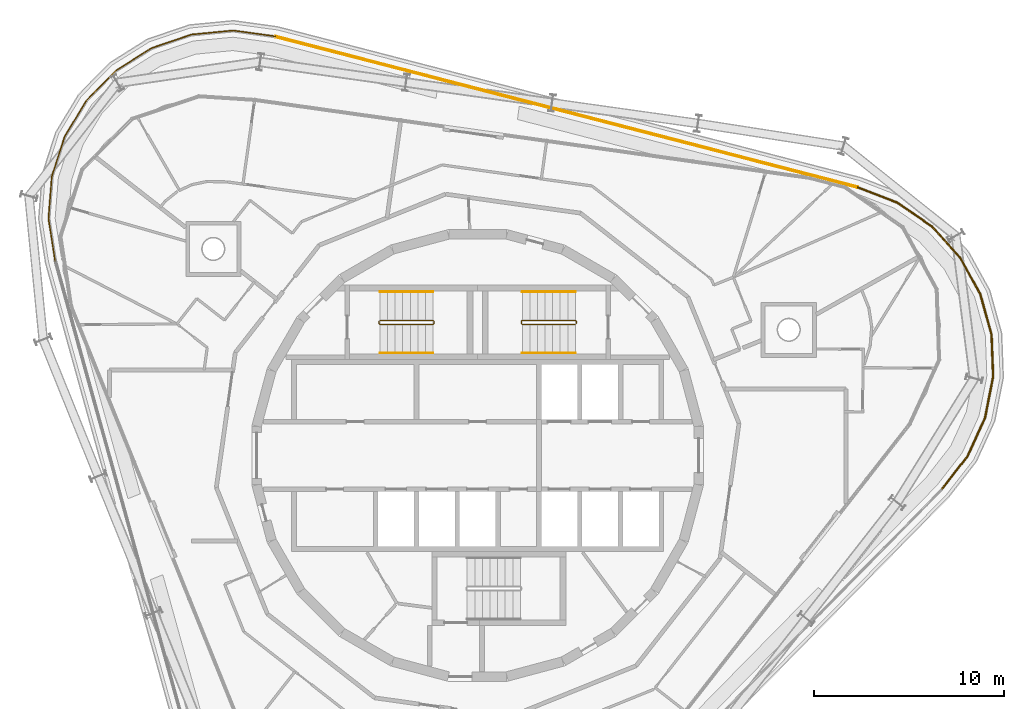
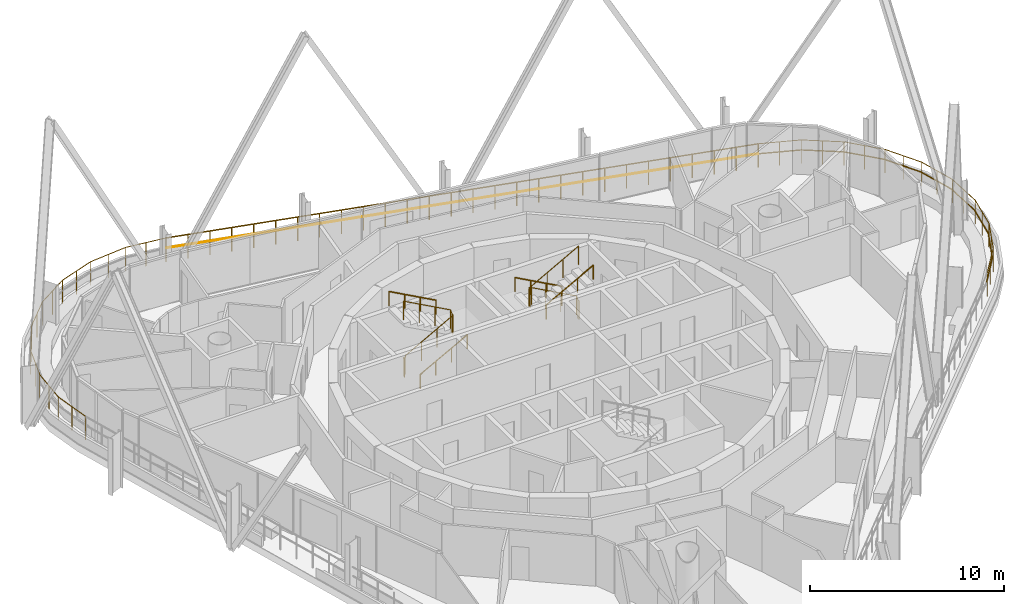
# One storey, part 16 of 17: 11 railings.
"""IFC4 building model written with IfcOpenShell, lengths in metres."""

from ifc_helpers import new_model, si_unit, direction, frame, origin, origin_2d, place, context, subcontext, project, spatial, circle, extrude, material, type_object, element, save


model = new_model("IFC4")

# Units and contexts
model_context = context("Model", 3, precision=1e-05, world=origin(), true_north=direction((0.0, 1.0)))
body_context = subcontext(model_context, "Body", "Model", "MODEL_VIEW")
ifc_project = project(units=[si_unit("LENGTHUNIT", "METRE"), si_unit("AREAUNIT", "SQUARE_METRE"), si_unit("VOLUMEUNIT", "CUBIC_METRE"), si_unit("PLANEANGLEUNIT", "RADIAN"), si_unit("MASSUNIT", "GRAM", prefix="KILO")], contexts=[model_context])

# Site, building, storey
site_placement = place(None, origin())
site = spatial("IfcSite", under=ifc_project, at=site_placement, CompositionType="ELEMENT")
building_placement = place(site_placement, origin())
building = spatial("IfcBuilding", under=site, at=building_placement, Name="Spindle Arch Residences", CompositionType="ELEMENT")
storey_placement = place(building_placement, frame((0.0, 0.0, 333.0)))
storey = spatial("IfcBuildingStorey", under=building, at=storey_placement, Name="L85", CompositionType="ELEMENT", Elevation=333.0)

# Railings
ifc_material_1 = material(Name="Steel, painted", Category="steel")
railing_type_1 = type_object("IfcRailingType", Name="Stair guard 1100", PredefinedType="GUARDRAIL", material=ifc_material_1)
railing_1_placement = place(storey_placement, frame((5.14990234375, 6.89990234375, 3.5)))
element("IfcRailing", 1, at=railing_1_placement, inside=storey, type_object=railing_type_1, Name="L85 ST1 stair guard 1", PredefinedType="GUARDRAIL", context=body_context, shape_type="SweptSolid", body=[
    extrude(circle(Radius=0.02392578125, at=origin_2d()), frame((0.0, 0.0, 1.17578125), z_axis=(-0.877357048833, 0.0, -0.479838106931), x_axis=(0.0, -1.0, 0.0)), (0.0, 0.0, 1.0), 3.191162109375),
    extrude(circle(Radius=0.02392578125, at=origin_2d()), frame((-2.7998046875, 0.0, -0.35546875), z_axis=(-0.217683172539, 0.217683172539, -0.951434744366), x_axis=(-0.707106781187, -0.707106781187, 0.0)), (0.0, 0.0, 1.0), 0.22998046875),
    extrude(circle(Radius=0.02392578125, at=origin_2d()), frame((-2.849853515625, 0.050048828125, -0.57421875), z_axis=(0.0, 1.0, 0.0), x_axis=(-1.0, 0.0, 0.0)), (0.0, 0.0, 1.0), 0.1201171875),
    extrude(circle(Radius=0.02392578125, at=origin_2d()), frame((-2.849853515625, 0.170166015625, -0.57421875), z_axis=(0.707106781187, 0.707106781187, 0.0), x_axis=(-0.707106781187, 0.707106781187, 0.0)), (0.0, 0.0, 1.0), 0.07080078125),
    extrude(circle(Radius=0.02392578125, at=origin_2d()), frame((-2.7998046875, 0.22021484375, -0.57421875), z_axis=(0.877357048833, 0.0, -0.479838106931), x_axis=(0.0, 1.0, 0.0)), (0.0, 0.0, 1.0), 3.191162109375),
    extrude(circle(Radius=0.02392578125, at=origin_2d()), frame((0.0, 0.22021484375, -2.10546875), z_axis=(0.217683172539, -0.217683172539, -0.951434744366), x_axis=(0.707106781187, 0.707106781187, 0.0)), (0.0, 0.0, 1.0), 0.22998046875),
    extrude(circle(Radius=0.02392578125, at=origin_2d()), frame((0.050048828125, 0.170166015625, -2.32421875), z_axis=(0.0, -1.0, 0.0), x_axis=(1.0, 0.0, 0.0)), (0.0, 0.0, 1.0), 0.1201171875),
    extrude(circle(Radius=0.02099609375, at=origin_2d()), origin(), (0.0, 0.0, 1.0), 1.15185546875),
    extrude(circle(Radius=0.02099609375, at=origin_2d()), frame((-0.933349609375, 0.0, -0.510498046875)), (0.0, 0.0, 1.0), 1.15185546875),
    extrude(circle(Radius=0.02099609375, at=origin_2d()), frame((-1.866455078125, 0.0, -1.020751953125)), (0.0, 0.0, 1.0), 1.15185546875),
    extrude(circle(Radius=0.02099609375, at=origin_2d()), frame((-2.7998046875, 0.0, -1.53125)), (0.0, 0.0, 1.0), 1.15185546875),
    extrude(circle(Radius=0.02099609375, at=origin_2d()), frame((-2.849853515625, 0.050048828125, -1.75)), (0.0, 0.0, 1.0), 1.15185546875),
    extrude(circle(Radius=0.02099609375, at=origin_2d()), frame((-2.849853515625, 0.170166015625, -1.75)), (0.0, 0.0, 1.0), 1.15185546875),
    extrude(circle(Radius=0.02099609375, at=origin_2d()), frame((-2.7998046875, 0.22021484375, -1.75)), (0.0, 0.0, 1.0), 1.15185546875),
    extrude(circle(Radius=0.02099609375, at=origin_2d()), frame((-1.866455078125, 0.22021484375, -2.260498046875)), (0.0, 0.0, 1.0), 1.15185546875),
    extrude(circle(Radius=0.02099609375, at=origin_2d()), frame((-0.933349609375, 0.22021484375, -2.770751953125)), (0.0, 0.0, 1.0), 1.15185546875),
    extrude(circle(Radius=0.02099609375, at=origin_2d()), frame((0.0, 0.22021484375, -3.28125)), (0.0, 0.0, 1.0), 1.15185546875),
    extrude(circle(Radius=0.02099609375, at=origin_2d()), frame((0.050048828125, 0.170166015625, -3.5)), (0.0, 0.0, 1.0), 1.15185546875),
    extrude(circle(Radius=0.02099609375, at=origin_2d()), frame((0.050048828125, 0.050048828125, -3.5)), (0.0, 0.0, 1.0), 1.15185546875),
])
railing_2_placement = place(storey_placement, frame((-5.14990234375, 7.1201171875, 3.5)))
element("IfcRailing", 2, at=railing_2_placement, inside=storey, type_object=railing_type_1, Name="L85 ST2 stair guard 1", PredefinedType="GUARDRAIL", context=body_context, shape_type="SweptSolid", body=[
    extrude(circle(Radius=0.02392578125, at=origin_2d()), frame((0.0, 0.0, 1.17578125), z_axis=(0.877357048833, 0.0, -0.479838106931), x_axis=(0.0, 1.0, 0.0)), (0.0, 0.0, 1.0), 3.191162109375),
    extrude(circle(Radius=0.02392578125, at=origin_2d()), frame((2.7998046875, 0.0, -0.35546875), z_axis=(0.217683172539, -0.217683172539, -0.951434744366), x_axis=(0.707106781187, 0.707106781187, 0.0)), (0.0, 0.0, 1.0), 0.22998046875),
    extrude(circle(Radius=0.02392578125, at=origin_2d()), frame((2.849853515625, -0.050048828125, -0.57421875), z_axis=(0.0, -1.0, 0.0), x_axis=(1.0, 0.0, 0.0)), (0.0, 0.0, 1.0), 0.1201171875),
    extrude(circle(Radius=0.02392578125, at=origin_2d()), frame((2.849853515625, -0.170166015625, -0.57421875), z_axis=(-0.707106781187, -0.707106781187, 0.0), x_axis=(0.707106781187, -0.707106781187, 0.0)), (0.0, 0.0, 1.0), 0.07080078125),
    extrude(circle(Radius=0.02392578125, at=origin_2d()), frame((2.7998046875, -0.22021484375, -0.57421875), z_axis=(-0.877357048833, 0.0, -0.479838106931), x_axis=(0.0, -1.0, 0.0)), (0.0, 0.0, 1.0), 3.191162109375),
    extrude(circle(Radius=0.02392578125, at=origin_2d()), frame((0.0, -0.22021484375, -2.10546875), z_axis=(-0.217683172539, 0.217683172539, -0.951434744366), x_axis=(-0.707106781187, -0.707106781187, 0.0)), (0.0, 0.0, 1.0), 0.22998046875),
    extrude(circle(Radius=0.02392578125, at=origin_2d()), frame((-0.050048828125, -0.170166015625, -2.32421875), z_axis=(0.0, 1.0, 0.0), x_axis=(-1.0, 0.0, 0.0)), (0.0, 0.0, 1.0), 0.1201171875),
    extrude(circle(Radius=0.02099609375, at=origin_2d()), origin(), (0.0, 0.0, 1.0), 1.15185546875),
    extrude(circle(Radius=0.02099609375, at=origin_2d()), frame((0.933349609375, 0.0, -0.510498046875)), (0.0, 0.0, 1.0), 1.15185546875),
    extrude(circle(Radius=0.02099609375, at=origin_2d()), frame((1.866455078125, 0.0, -1.020751953125)), (0.0, 0.0, 1.0), 1.15185546875),
    extrude(circle(Radius=0.02099609375, at=origin_2d()), frame((2.7998046875, 0.0, -1.53125)), (0.0, 0.0, 1.0), 1.15185546875),
    extrude(circle(Radius=0.02099609375, at=origin_2d()), frame((2.849853515625, -0.050048828125, -1.75)), (0.0, 0.0, 1.0), 1.15185546875),
    extrude(circle(Radius=0.02099609375, at=origin_2d()), frame((2.849853515625, -0.170166015625, -1.75)), (0.0, 0.0, 1.0), 1.15185546875),
    extrude(circle(Radius=0.02099609375, at=origin_2d()), frame((2.7998046875, -0.22021484375, -1.75)), (0.0, 0.0, 1.0), 1.15185546875),
    extrude(circle(Radius=0.02099609375, at=origin_2d()), frame((1.866455078125, -0.22021484375, -2.260498046875)), (0.0, 0.0, 1.0), 1.15185546875),
    extrude(circle(Radius=0.02099609375, at=origin_2d()), frame((0.933349609375, -0.22021484375, -2.770751953125)), (0.0, 0.0, 1.0), 1.15185546875),
    extrude(circle(Radius=0.02099609375, at=origin_2d()), frame((0.0, -0.22021484375, -3.28125)), (0.0, 0.0, 1.0), 1.15185546875),
    extrude(circle(Radius=0.02099609375, at=origin_2d()), frame((-0.050048828125, -0.170166015625, -3.5)), (0.0, 0.0, 1.0), 1.15185546875),
    extrude(circle(Radius=0.02099609375, at=origin_2d()), frame((-0.050048828125, -0.050048828125, -3.5)), (0.0, 0.0, 1.0), 1.15185546875),
])
ifc_material_2 = material(Name="Steel, painted", Category="steel")
railing_type_2 = type_object("IfcRailingType", Name="Stair handrail 900", PredefinedType="HANDRAIL", material=ifc_material_2)
railing_3_placement = place(storey_placement, frame((5.14990234375, 8.6201171875, 0.21875)))
element("IfcRailing", 3, at=railing_3_placement, inside=storey, type_object=railing_type_2, Name="L85 ST1 stair handrail 1", PredefinedType="HANDRAIL", context=body_context, shape_type="SweptSolid", body=[
    extrude(circle(Radius=0.02392578125, at=origin_2d()), frame((0.0, 0.0, 0.8759765625), z_axis=(-0.877357048833, 0.0, 0.479838106931), x_axis=(0.0, -1.0, 0.0)), (0.0, 0.0, 1.0), 3.191162109375),
    extrude(circle(Radius=0.02099609375, at=origin_2d()), origin(), (0.0, 0.0, 1.0), 0.851806640625),
    extrude(circle(Radius=0.02099609375, at=origin_2d()), frame((-0.933349609375, 0.0, 0.510498046875)), (0.0, 0.0, 1.0), 0.851806640625),
    extrude(circle(Radius=0.02099609375, at=origin_2d()), frame((-1.866455078125, 0.0, 1.020751953125)), (0.0, 0.0, 1.0), 0.851806640625),
    extrude(circle(Radius=0.02099609375, at=origin_2d()), frame((-2.7998046875, 0.0, 1.53125)), (0.0, 0.0, 1.0), 0.851806640625),
])
for number, where, name in (
    (4, (2.35009765625, 5.39990234375, 1.96875), "L85 ST1 stair handrail 2"),
    (5, (-5.14990234375, 5.39990234375, 0.21875), "L85 ST2 stair handrail 1"),
):
    element("IfcRailing", number, at=place(storey_placement, frame(where)), inside=storey, type_object=railing_type_2, Name=name, PredefinedType="HANDRAIL", context=body_context, shape_type="SweptSolid", body=[
        extrude(circle(Radius=0.02392578125, at=origin_2d()), frame((0.0, 0.0, 0.8759765625), z_axis=(0.877357048833, 0.0, 0.479838106931), x_axis=(0.0, 1.0, 0.0)), (0.0, 0.0, 1.0), 3.191162109375),
        extrude(circle(Radius=0.02099609375, at=origin_2d()), origin(), (0.0, 0.0, 1.0), 0.851806640625),
        extrude(circle(Radius=0.02099609375, at=origin_2d()), frame((0.933349609375, 0.0, 0.510498046875)), (0.0, 0.0, 1.0), 0.851806640625),
        extrude(circle(Radius=0.02099609375, at=origin_2d()), frame((1.866455078125, 0.0, 1.020751953125)), (0.0, 0.0, 1.0), 0.851806640625),
        extrude(circle(Radius=0.02099609375, at=origin_2d()), frame((2.7998046875, 0.0, 1.53125)), (0.0, 0.0, 1.0), 0.851806640625),
    ])
railing_4_placement = place(storey_placement, frame((-2.35009765625, 8.6201171875, 1.96875)))
element("IfcRailing", 6, at=railing_4_placement, inside=storey, type_object=railing_type_2, Name="L85 ST2 stair handrail 2", PredefinedType="HANDRAIL", context=body_context, shape_type="SweptSolid", body=[
    extrude(circle(Radius=0.02392578125, at=origin_2d()), frame((0.0, 0.0, 0.8759765625), z_axis=(-0.877357048833, 0.0, 0.479838106931), x_axis=(0.0, -1.0, 0.0)), (0.0, 0.0, 1.0), 3.191162109375),
    extrude(circle(Radius=0.02099609375, at=origin_2d()), origin(), (0.0, 0.0, 1.0), 0.851806640625),
    extrude(circle(Radius=0.02099609375, at=origin_2d()), frame((-0.933349609375, 0.0, 0.510498046875)), (0.0, 0.0, 1.0), 0.851806640625),
    extrude(circle(Radius=0.02099609375, at=origin_2d()), frame((-1.866455078125, 0.0, 1.020751953125)), (0.0, 0.0, 1.0), 0.851806640625),
    extrude(circle(Radius=0.02099609375, at=origin_2d()), frame((-2.7998046875, 0.0, 1.53125)), (0.0, 0.0, 1.0), 0.851806640625),
])
ifc_material_3 = material(Name="Bronze anodised aluminium guard with glass infill", Category="aluminium")
railing_type_3 = type_object("IfcRailingType", Name="Terrace guard 1500", PredefinedType="GUARDRAIL", material=ifc_material_3)
railing_5_placement = place(storey_placement, frame((-22.267333984375, 10.26416015625, 0.030029296875)))
element("IfcRailing", 7, at=railing_5_placement, inside=storey, type_object=railing_type_3, Name="Terrace guard L84 4", PredefinedType="GUARDRAIL", context=body_context, shape_type="SweptSolid", body=[
    extrude(circle(Radius=0.02392578125, at=origin_2d()), frame((0.0, 0.0, 1.47607421875), z_axis=(-0.15361514149, 0.98813075466, 0.0), x_axis=(-0.98813075466, -0.15361514149, 0.0)), (0.0, 0.0, 1.0), 2.248779296875),
    extrude(circle(Radius=0.02392578125, at=origin_2d()), frame((-0.345458984375, 2.22216796875, 1.47607421875), z_axis=(0.078431677101, 0.996919491246, 0.0), x_axis=(-0.996919491246, 0.078431677101, 0.0)), (0.0, 0.0, 1.0), 2.21630859375),
    extrude(circle(Radius=0.02392578125, at=origin_2d()), frame((-0.171630859375, 4.431640625, 1.47607421875), z_axis=(0.306297948283, 0.951935694718, 0.0), x_axis=(-0.951935694718, 0.306297948283, 0.0)), (0.0, 0.0, 1.0), 2.216552734375),
    extrude(circle(Radius=0.02392578125, at=origin_2d()), frame((0.50732421875, 6.541748046875, 1.47607421875), z_axis=(0.51750562757, 0.8556798031, 0.0), x_axis=(-0.8556798031, 0.51750562757, 0.0)), (0.0, 0.0, 1.0), 2.21630859375),
    extrude(circle(Radius=0.02392578125, at=origin_2d()), frame((1.654296875, 8.438232421875, 1.47607421875), z_axis=(0.700912207196, 0.713247557166, 0.0), x_axis=(-0.713247557166, 0.700912207196, 0.0)), (0.0, 0.0, 1.0), 2.216796875),
    extrude(circle(Radius=0.02392578125, at=origin_2d()), frame((3.2080078125, 10.019287109375, 1.47607421875), z_axis=(0.846515998694, 0.532363281937, 0.0), x_axis=(-0.532363281937, 0.846515998694, 0.0)), (0.0, 0.0, 1.0), 2.21630859375),
    extrude(circle(Radius=0.02392578125, at=origin_2d()), frame((5.084228515625, 11.19921875, 1.47607421875), z_axis=(0.946457423175, 0.322828663718, 0.0), x_axis=(-0.322828663718, 0.946457423175, 0.0)), (0.0, 0.0, 1.0), 2.216552734375),
    extrude(circle(Radius=0.02392578125, at=origin_2d()), frame((7.18212890625, 11.914794921875, 1.47607421875), z_axis=(0.995397922953, 0.09582784032, 0.0), x_axis=(-0.09582784032, 0.995397922953, 0.0)), (0.0, 0.0, 1.0), 2.216552734375),
    extrude(circle(Radius=0.02392578125, at=origin_2d()), frame((9.388427734375, 12.127197265625, 1.47607421875), z_axis=(0.990674260857, -0.136251638068, 0.0), x_axis=(0.136251638068, 0.990674260857, 0.0)), (0.0, 0.0, 1.0), 2.248779296875),
    extrude(circle(Radius=0.02099609375, at=origin_2d()), origin(), (0.0, 0.0, 1.0), 1.451904296875),
    extrude(circle(Radius=0.02099609375, at=origin_2d()), frame((-0.1728515625, 1.111083984375, 0.0)), (0.0, 0.0, 1.0), 1.451904296875),
    extrude(circle(Radius=0.02099609375, at=origin_2d()), frame((-0.345458984375, 2.22216796875, 0.0)), (0.0, 0.0, 1.0), 1.451904296875),
    extrude(circle(Radius=0.02099609375, at=origin_2d()), frame((-0.258544921875, 3.326904296875, 0.0)), (0.0, 0.0, 1.0), 1.451904296875),
    extrude(circle(Radius=0.02099609375, at=origin_2d()), frame((-0.171630859375, 4.431640625, 0.0)), (0.0, 0.0, 1.0), 1.451904296875),
    extrude(circle(Radius=0.02099609375, at=origin_2d()), frame((0.16796875, 5.48681640625, 0.0)), (0.0, 0.0, 1.0), 1.451904296875),
    extrude(circle(Radius=0.02099609375, at=origin_2d()), frame((0.50732421875, 6.541748046875, 0.0)), (0.0, 0.0, 1.0), 1.451904296875),
    extrude(circle(Radius=0.02099609375, at=origin_2d()), frame((1.080810546875, 7.489990234375, 0.0)), (0.0, 0.0, 1.0), 1.451904296875),
    extrude(circle(Radius=0.02099609375, at=origin_2d()), frame((1.654296875, 8.438232421875, 0.0)), (0.0, 0.0, 1.0), 1.451904296875),
    extrude(circle(Radius=0.02099609375, at=origin_2d()), frame((2.43115234375, 9.228759765625, 0.0)), (0.0, 0.0, 1.0), 1.451904296875),
    extrude(circle(Radius=0.02099609375, at=origin_2d()), frame((3.2080078125, 10.019287109375, 0.0)), (0.0, 0.0, 1.0), 1.451904296875),
    extrude(circle(Radius=0.02099609375, at=origin_2d()), frame((4.14599609375, 10.609375, 0.0)), (0.0, 0.0, 1.0), 1.451904296875),
    extrude(circle(Radius=0.02099609375, at=origin_2d()), frame((5.084228515625, 11.19921875, 0.0)), (0.0, 0.0, 1.0), 1.451904296875),
    extrude(circle(Radius=0.02099609375, at=origin_2d()), frame((6.13330078125, 11.55712890625, 0.0)), (0.0, 0.0, 1.0), 1.451904296875),
    extrude(circle(Radius=0.02099609375, at=origin_2d()), frame((7.18212890625, 11.914794921875, 0.0)), (0.0, 0.0, 1.0), 1.451904296875),
    extrude(circle(Radius=0.02099609375, at=origin_2d()), frame((8.28515625, 12.02099609375, 0.0)), (0.0, 0.0, 1.0), 1.451904296875),
    extrude(circle(Radius=0.02099609375, at=origin_2d()), frame((9.388427734375, 12.127197265625, 0.0)), (0.0, 0.0, 1.0), 1.451904296875),
    extrude(circle(Radius=0.02099609375, at=origin_2d()), frame((10.50244140625, 11.97412109375, 0.0)), (0.0, 0.0, 1.0), 1.451904296875),
    extrude(circle(Radius=0.02099609375, at=origin_2d()), frame((11.6162109375, 11.82080078125, 0.0)), (0.0, 0.0, 1.0), 1.451904296875),
])
railing_6_placement = place(storey_placement, frame((-10.651123046875, 22.0849609375, 0.030029296875)))
element("IfcRailing", 8, at=railing_6_placement, inside=storey, type_object=railing_type_3, Name="Terrace guard L84 5", PredefinedType="GUARDRAIL", context=body_context, shape_type="SweptSolid", body=[
    extrude(circle(Radius=0.02392578125, at=origin_2d()), frame((0.0, 0.0, 1.47607421875), z_axis=(0.968147104845, -0.250382074799, 0.0), x_axis=(0.250382074799, 0.968147104845, 0.0)), (0.0, 0.0, 1.0), 31.68310546875),
    extrude(circle(Radius=0.02099609375, at=origin_2d()), origin(), (0.0, 0.0, 1.0), 1.451904296875),
    extrude(circle(Radius=0.02099609375, at=origin_2d()), frame((1.135986328125, -0.293701171875, 0.0)), (0.0, 0.0, 1.0), 1.451904296875),
    extrude(circle(Radius=0.02099609375, at=origin_2d()), frame((2.272216796875, -0.587646484375, 0.0)), (0.0, 0.0, 1.0), 1.451904296875),
    extrude(circle(Radius=0.02099609375, at=origin_2d()), frame((3.408203125, -0.88134765625, 0.0)), (0.0, 0.0, 1.0), 1.451904296875),
    extrude(circle(Radius=0.02099609375, at=origin_2d()), frame((4.544189453125, -1.17529296875, 0.0)), (0.0, 0.0, 1.0), 1.451904296875),
    extrude(circle(Radius=0.02099609375, at=origin_2d()), frame((5.680419921875, -1.468994140625, 0.0)), (0.0, 0.0, 1.0), 1.451904296875),
    extrude(circle(Radius=0.02099609375, at=origin_2d()), frame((6.81640625, -1.762939453125, 0.0)), (0.0, 0.0, 1.0), 1.451904296875),
    extrude(circle(Radius=0.02099609375, at=origin_2d()), frame((7.952392578125, -2.056640625, 0.0)), (0.0, 0.0, 1.0), 1.451904296875),
    extrude(circle(Radius=0.02099609375, at=origin_2d()), frame((9.088623046875, -2.3505859375, 0.0)), (0.0, 0.0, 1.0), 1.451904296875),
    extrude(circle(Radius=0.02099609375, at=origin_2d()), frame((10.224609375, -2.644287109375, 0.0)), (0.0, 0.0, 1.0), 1.451904296875),
    extrude(circle(Radius=0.02099609375, at=origin_2d()), frame((11.360595703125, -2.93798828125, 0.0)), (0.0, 0.0, 1.0), 1.451904296875),
    extrude(circle(Radius=0.02099609375, at=origin_2d()), frame((12.496826171875, -3.23193359375, 0.0)), (0.0, 0.0, 1.0), 1.451904296875),
    extrude(circle(Radius=0.02099609375, at=origin_2d()), frame((13.6328125, -3.525634765625, 0.0)), (0.0, 0.0, 1.0), 1.451904296875),
    extrude(circle(Radius=0.02099609375, at=origin_2d()), frame((14.768798828125, -3.819580078125, 0.0)), (0.0, 0.0, 1.0), 1.451904296875),
    extrude(circle(Radius=0.02099609375, at=origin_2d()), frame((15.905029296875, -4.11328125, 0.0)), (0.0, 0.0, 1.0), 1.451904296875),
    extrude(circle(Radius=0.02099609375, at=origin_2d()), frame((17.041015625, -4.4072265625, 0.0)), (0.0, 0.0, 1.0), 1.451904296875),
    extrude(circle(Radius=0.02099609375, at=origin_2d()), frame((18.177001953125, -4.700927734375, 0.0)), (0.0, 0.0, 1.0), 1.451904296875),
    extrude(circle(Radius=0.02099609375, at=origin_2d()), frame((19.313232421875, -4.994873046875, 0.0)), (0.0, 0.0, 1.0), 1.451904296875),
    extrude(circle(Radius=0.02099609375, at=origin_2d()), frame((20.44921875, -5.28857421875, 0.0)), (0.0, 0.0, 1.0), 1.451904296875),
    extrude(circle(Radius=0.02099609375, at=origin_2d()), frame((21.585205078125, -5.582275390625, 0.0)), (0.0, 0.0, 1.0), 1.451904296875),
    extrude(circle(Radius=0.02099609375, at=origin_2d()), frame((22.721435546875, -5.876220703125, 0.0)), (0.0, 0.0, 1.0), 1.451904296875),
    extrude(circle(Radius=0.02099609375, at=origin_2d()), frame((23.857421875, -6.169921875, 0.0)), (0.0, 0.0, 1.0), 1.451904296875),
    extrude(circle(Radius=0.02099609375, at=origin_2d()), frame((24.993408203125, -6.4638671875, 0.0)), (0.0, 0.0, 1.0), 1.451904296875),
    extrude(circle(Radius=0.02099609375, at=origin_2d()), frame((26.129638671875, -6.757568359375, 0.0)), (0.0, 0.0, 1.0), 1.451904296875),
    extrude(circle(Radius=0.02099609375, at=origin_2d()), frame((27.265625, -7.051513671875, 0.0)), (0.0, 0.0, 1.0), 1.451904296875),
    extrude(circle(Radius=0.02099609375, at=origin_2d()), frame((28.401611328125, -7.34521484375, 0.0)), (0.0, 0.0, 1.0), 1.451904296875),
    extrude(circle(Radius=0.02099609375, at=origin_2d()), frame((29.537841796875, -7.63916015625, 0.0)), (0.0, 0.0, 1.0), 1.451904296875),
    extrude(circle(Radius=0.02099609375, at=origin_2d()), frame((30.673828125, -7.932861328125, 0.0)), (0.0, 0.0, 1.0), 1.451904296875),
])
railing_7_placement = place(storey_placement, frame((20.022705078125, 14.152099609375, 0.030029296875)))
element("IfcRailing", 9, at=railing_7_placement, inside=storey, type_object=railing_type_3, Name="Terrace guard L84 6", PredefinedType="GUARDRAIL", context=body_context, shape_type="SweptSolid", body=[
    extrude(circle(Radius=0.02392578125, at=origin_2d()), frame((0.0, 0.0, 1.47607421875), z_axis=(0.932537442445, -0.361073286796, 0.0), x_axis=(0.361073286796, 0.932537442445, 0.0)), (0.0, 0.0, 1.0), 2.248779296875),
    extrude(circle(Radius=0.02392578125, at=origin_2d()), frame((2.09716796875, -0.81201171875, 1.47607421875), z_axis=(0.824138329573, -0.566388571326, 0.0), x_axis=(0.566388571326, 0.824138329573, 0.0)), (0.0, 0.0, 1.0), 2.216552734375),
    extrude(circle(Radius=0.02392578125, at=origin_2d()), frame((3.923828125, -2.0673828125, 1.47607421875), z_axis=(0.671268014454, -0.741214714352, 0.0), x_axis=(0.741214714352, 0.671268014454, 0.0)), (0.0, 0.0, 1.0), 2.21630859375),
    extrude(circle(Radius=0.02392578125, at=origin_2d()), frame((5.41162109375, -3.710205078125, 1.47607421875), z_axis=(0.482282302613, -0.876015856356, 0.0), x_axis=(0.876015856356, 0.482282302613, 0.0)), (0.0, 0.0, 1.0), 2.216796875),
    extrude(circle(Radius=0.02392578125, at=origin_2d()), frame((6.480712890625, -5.652099609375, 1.47607421875), z_axis=(0.26723478461, -0.963631449204, 0.0), x_axis=(0.963631449204, 0.26723478461, 0.0)), (0.0, 0.0, 1.0), 2.21630859375),
    extrude(circle(Radius=0.02392578125, at=origin_2d()), frame((7.072998046875, -7.787841796875, 1.47607421875), z_axis=(0.03777748907, -0.999286175887, 0.0), x_axis=(0.999286175887, 0.03777748907, 0.0)), (0.0, 0.0, 1.0), 2.216552734375),
    extrude(circle(Radius=0.02392578125, at=origin_2d()), frame((7.15673828125, -10.0029296875, 1.47607421875), z_axis=(-0.193658143721, -0.981069071661, 0.0), x_axis=(0.981069071661, -0.193658143721, 0.0)), (0.0, 0.0, 1.0), 2.21630859375),
    extrude(circle(Radius=0.02392578125, at=origin_2d()), frame((6.7275390625, -12.17724609375, 1.47607421875), z_axis=(-0.414674061402, -0.909970012033, 0.0), x_axis=(0.909970012033, -0.414674061402, 0.0)), (0.0, 0.0, 1.0), 2.216552734375),
    extrude(circle(Radius=0.02392578125, at=origin_2d()), frame((5.808349609375, -14.1943359375, 1.47607421875), z_axis=(-0.613376768315, -0.789790440618, 0.0), x_axis=(0.789790440618, -0.613376768315, 0.0)), (0.0, 0.0, 1.0), 2.248779296875),
    extrude(circle(Radius=0.02099609375, at=origin_2d()), origin(), (0.0, 0.0, 1.0), 1.451904296875),
    extrude(circle(Radius=0.02099609375, at=origin_2d()), frame((1.048583984375, -0.406005859375, 0.0)), (0.0, 0.0, 1.0), 1.451904296875),
    extrude(circle(Radius=0.02099609375, at=origin_2d()), frame((2.09716796875, -0.81201171875, 0.0)), (0.0, 0.0, 1.0), 1.451904296875),
    extrude(circle(Radius=0.02099609375, at=origin_2d()), frame((3.010498046875, -1.439697265625, 0.0)), (0.0, 0.0, 1.0), 1.451904296875),
    extrude(circle(Radius=0.02099609375, at=origin_2d()), frame((3.923828125, -2.0673828125, 0.0)), (0.0, 0.0, 1.0), 1.451904296875),
    extrude(circle(Radius=0.02099609375, at=origin_2d()), frame((4.667724609375, -2.888671875, 0.0)), (0.0, 0.0, 1.0), 1.451904296875),
    extrude(circle(Radius=0.02099609375, at=origin_2d()), frame((5.41162109375, -3.710205078125, 0.0)), (0.0, 0.0, 1.0), 1.451904296875),
    extrude(circle(Radius=0.02099609375, at=origin_2d()), frame((5.9462890625, -4.68115234375, 0.0)), (0.0, 0.0, 1.0), 1.451904296875),
    extrude(circle(Radius=0.02099609375, at=origin_2d()), frame((6.480712890625, -5.652099609375, 0.0)), (0.0, 0.0, 1.0), 1.451904296875),
    extrude(circle(Radius=0.02099609375, at=origin_2d()), frame((6.77685546875, -6.719970703125, 0.0)), (0.0, 0.0, 1.0), 1.451904296875),
    extrude(circle(Radius=0.02099609375, at=origin_2d()), frame((7.072998046875, -7.787841796875, 0.0)), (0.0, 0.0, 1.0), 1.451904296875),
    extrude(circle(Radius=0.02099609375, at=origin_2d()), frame((7.11474609375, -8.8955078125, 0.0)), (0.0, 0.0, 1.0), 1.451904296875),
    extrude(circle(Radius=0.02099609375, at=origin_2d()), frame((7.15673828125, -10.0029296875, 0.0)), (0.0, 0.0, 1.0), 1.451904296875),
    extrude(circle(Radius=0.02099609375, at=origin_2d()), frame((6.942138671875, -11.090087890625, 0.0)), (0.0, 0.0, 1.0), 1.451904296875),
    extrude(circle(Radius=0.02099609375, at=origin_2d()), frame((6.7275390625, -12.17724609375, 0.0)), (0.0, 0.0, 1.0), 1.451904296875),
    extrude(circle(Radius=0.02099609375, at=origin_2d()), frame((6.26806640625, -13.185791015625, 0.0)), (0.0, 0.0, 1.0), 1.451904296875),
    extrude(circle(Radius=0.02099609375, at=origin_2d()), frame((5.808349609375, -14.1943359375, 0.0)), (0.0, 0.0, 1.0), 1.451904296875),
    extrude(circle(Radius=0.02099609375, at=origin_2d()), frame((5.11865234375, -15.08251953125, 0.0)), (0.0, 0.0, 1.0), 1.451904296875),
    extrude(circle(Radius=0.02099609375, at=origin_2d()), frame((4.428955078125, -15.970458984375, 0.0)), (0.0, 0.0, 1.0), 1.451904296875),
])
ifc_material_4 = material(Name="Bronze anodised aluminium handrail", Category="aluminium")
railing_type_4 = type_object("IfcRailingType", Name="Terrace handrail 900", PredefinedType="HANDRAIL", material=ifc_material_4)
railing_8_placement = place(storey_placement, frame((-10.659423828125, 22.043701171875, 0.030029296875)))
element("IfcRailing", 10, at=railing_8_placement, inside=storey, type_object=railing_type_4, Name="Terrace handrail L84 5", PredefinedType="HANDRAIL", context=body_context, shape_type="SweptSolid", body=[
    extrude(circle(Radius=0.02392578125, at=origin_2d()), frame((0.0, 0.0, 0.8759765625), z_axis=(0.968147265926, -0.25038145195, 0.0), x_axis=(0.25038145195, 0.968147265926, 0.0)), (0.0, 0.0, 1.0), 31.67822265625),
])
railing_9_placement = place(storey_placement, frame((20.009765625, 14.112060546875, 0.030029296875)))
element("IfcRailing", 11, at=railing_9_placement, inside=storey, type_object=railing_type_4, Name="Terrace handrail L84 6", PredefinedType="HANDRAIL", context=body_context, shape_type="SweptSolid", body=[
    extrude(circle(Radius=0.02392578125, at=origin_2d()), frame((0.0, 0.0, 0.8759765625), z_axis=(0.932543257186, -0.361058268812, 0.0), x_axis=(0.361058268812, 0.932543257186, 0.0)), (0.0, 0.0, 1.0), 2.241455078125),
    extrude(circle(Radius=0.02392578125, at=origin_2d()), frame((2.09033203125, -0.809326171875, 0.8759765625), z_axis=(0.824103251577, -0.566439609085, 0.0), x_axis=(0.566439609085, 0.824103251577, 0.0)), (0.0, 0.0, 1.0), 2.206787109375),
    extrude(circle(Radius=0.02392578125, at=origin_2d()), frame((3.908935546875, -2.059326171875, 0.8759765625), z_axis=(0.671278285717, -0.741205412234, 0.0), x_axis=(0.741205412234, 0.671278285717, 0.0)), (0.0, 0.0, 1.0), 2.20654296875),
    extrude(circle(Radius=0.02392578125, at=origin_2d()), frame((5.39013671875, -3.69482421875, 0.8759765625), z_axis=(0.482266974258, -0.876024295062, 0.0), x_axis=(0.876024295062, 0.482266974258, 0.0)), (0.0, 0.0, 1.0), 2.206787109375),
    extrude(circle(Radius=0.02392578125, at=origin_2d()), frame((6.454345703125, -5.6279296875, 0.8759765625), z_axis=(0.26729007276, -0.963616114957, 0.0), x_axis=(0.963616114957, 0.26729007276, 0.0)), (0.0, 0.0, 1.0), 2.206787109375),
    extrude(circle(Radius=0.02392578125, at=origin_2d()), frame((7.044189453125, -7.75439453125, 0.8759765625), z_axis=(0.037727770869, -0.999288054219, 0.0), x_axis=(0.999288054219, 0.037727770869, 0.0)), (0.0, 0.0, 1.0), 2.20654296875),
    extrude(circle(Radius=0.02392578125, at=origin_2d()), frame((7.12744140625, -9.95947265625, 0.8759765625), z_axis=(-0.193626025641, -0.981075411064, 0.0), x_axis=(0.981075411064, -0.193626025641, 0.0)), (0.0, 0.0, 1.0), 2.20654296875),
    extrude(circle(Radius=0.02392578125, at=origin_2d()), frame((6.7001953125, -12.124267578125, 0.8759765625), z_axis=(-0.414661320965, -0.909975817753, 0.0), x_axis=(0.909975817753, -0.414661320965, 0.0)), (0.0, 0.0, 1.0), 2.206787109375),
    extrude(circle(Radius=0.02392578125, at=origin_2d()), frame((5.78515625, -14.13232421875, 0.8759765625), z_axis=(-0.613420192317, -0.789756714221, 0.0), x_axis=(0.789756714221, -0.613420192317, 0.0)), (0.0, 0.0, 1.0), 2.241455078125),
])

save(model, "model.ifc")
